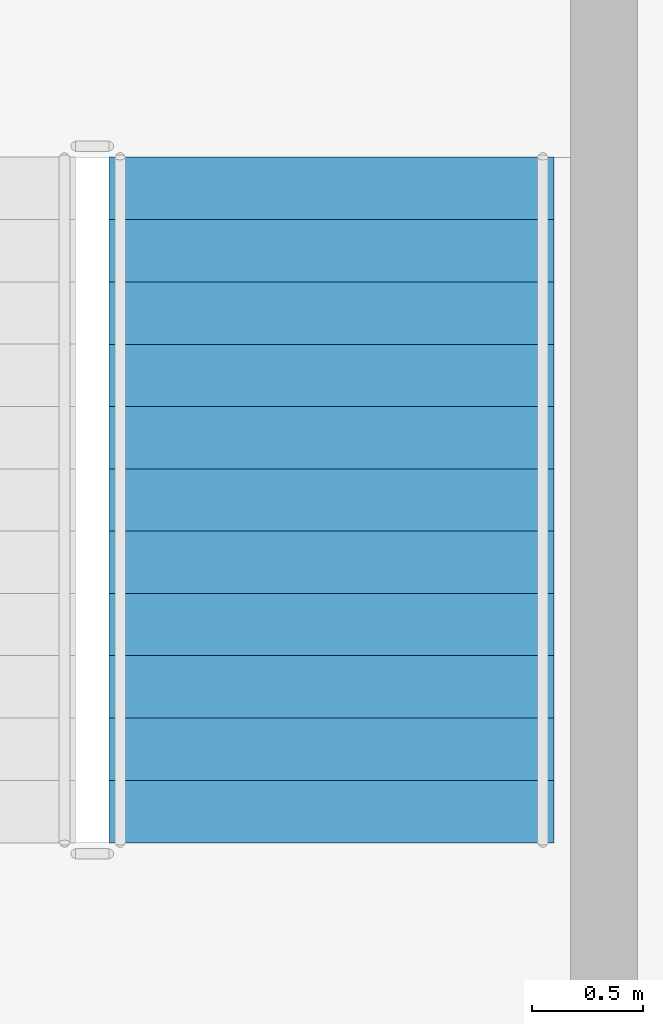
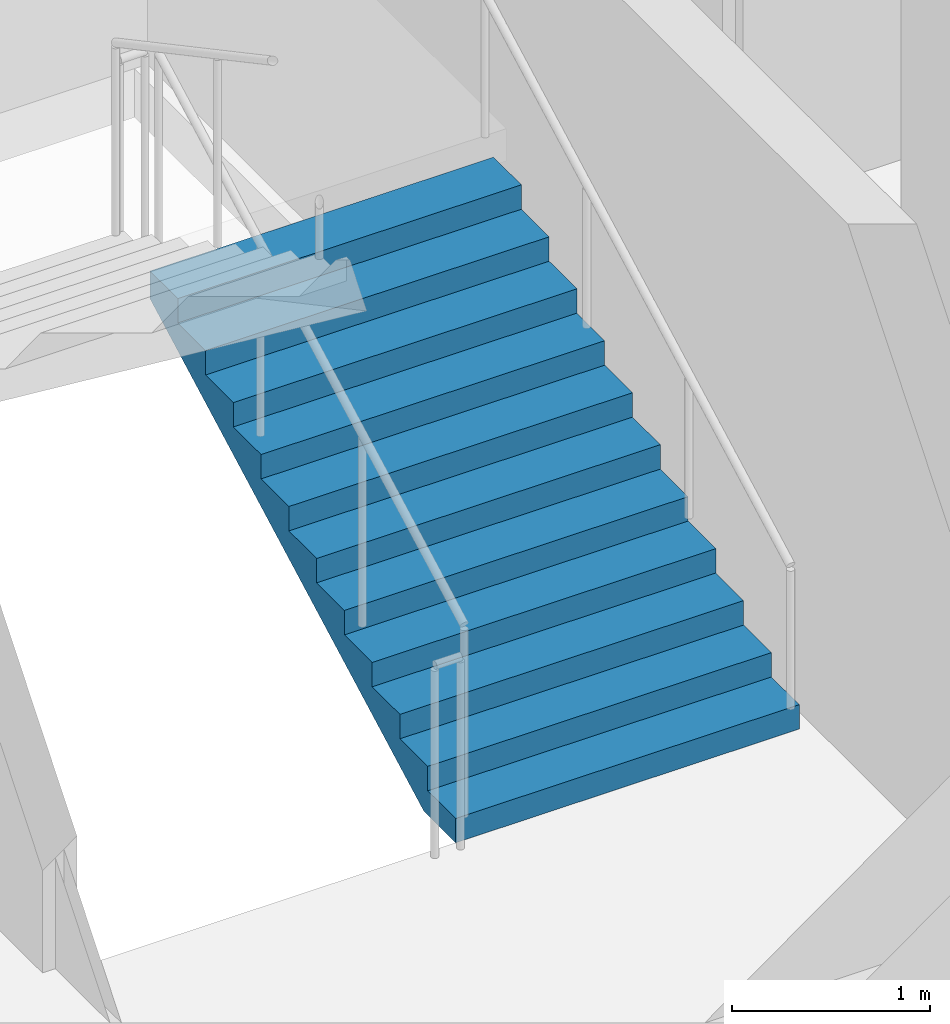
# One storey, part 12 of 19: 1 stair flight, 1 element without a shape of its own.
"""IFC4 building model written with IfcOpenShell, lengths in metres."""

from ifc_helpers import new_model, si_unit, direction, frame, origin, place, context, subcontext, project, spatial, polygons, material, type_object, element, aggregate, save


model = new_model("IFC4")

# Units and contexts
model_context = context("Model", 3, precision=1e-05, world=origin(), true_north=direction((0.0, 1.0)))
body_context = subcontext(model_context, "Body", "Model", "MODEL_VIEW")
ifc_project = project(units=[si_unit("LENGTHUNIT", "METRE"), si_unit("AREAUNIT", "SQUARE_METRE"), si_unit("VOLUMEUNIT", "CUBIC_METRE"), si_unit("PLANEANGLEUNIT", "RADIAN"), si_unit("MASSUNIT", "GRAM", prefix="KILO")], contexts=[model_context])

# Site, building, storey
site_placement = place(None, origin())
site = spatial("IfcSite", under=ifc_project, at=site_placement, CompositionType="ELEMENT")
building_placement = place(site_placement, origin())
building = spatial("IfcBuilding", under=site, at=building_placement, Name="Caravel Reach Hotel and Residences", CompositionType="ELEMENT")
storey_placement = place(building_placement, frame((0.0, 0.0, 52.800048828125)))
storey = spatial("IfcBuildingStorey", under=building, at=storey_placement, Name="L11", CompositionType="ELEMENT", Elevation=52.800048828125)

# Stair, stair flight
ifc_material_1 = material(Name="Concrete C40", Category="concrete")
stair_type = type_object("IfcStairType", Name="Core stair", PredefinedType="HALF_TURN_STAIR", material=ifc_material_1)
stair_placement = place(storey_placement, origin())
stair = element("IfcStair", 1, at=stair_placement, inside=storey, type_object=stair_type, Name="L11 Exit stair B", PredefinedType="HALF_TURN_STAIR")
ifc_material_2 = material(Name="Concrete C40", Category="concrete")
stair_flight_type = type_object("IfcStairFlightType", Name="Core stair flight", PredefinedType="STRAIGHT", material=ifc_material_2)
stair_flight_placement = place(storey_placement, frame((43.77490234375, 24.64990234375, 0.0), z_axis=(0.0, 0.0, 1.0), x_axis=(0.0, 1.0, 0.0)))
stair_flight = element("IfcStairFlight", 2, at=stair_flight_placement, type_object=stair_flight_type, Name="ST-B flight 1", NumberOfRisers=12, NumberOfTreads=11, PredefinedType="STRAIGHT", RiserHeight=0.15, TreadLength=0.28, context=body_context, shape_type="Tessellation", body=[
    polygons([(0.3174408016601862, 1.0, 0.0), (0.3174408016601862, 0.6666666666666667, 0.0), (0.3174408016601862, 0.33333333333333337, 0.0), (0.3174408016601862, 0.0, 0.0), (0.3174408016601862, -0.33333333333333326, 0.0), (0.3174408016601862, -0.6666666666666667, 0.0), (0.3174408016601862, -1.0, 0.0), (3.081, 1.0, 1.479942427682043), (3.081, 0.6666666666666667, 1.479942427682043), (3.081, 0.33333333333333337, 1.479942427682043), (3.081, 0.0, 1.479942427682043), (3.081, -0.33333333333333326, 1.479942427682043), (3.081, -0.6666666666666667, 1.479942427682043), (3.081, -1.0, 1.479942427682043), (3.081, 1.0, 1.65), (3.081, 0.6666666666666667, 1.65), (3.081, 0.33333333333333337, 1.65), (3.081, 0.0, 1.65), (3.081, -0.33333333333333326, 1.65), (3.081, -0.6666666666666667, 1.65), (3.081, -1.0, 1.65), (2.8000000000000003, 1.0, 1.65), (2.8000000000000003, 0.6666666666666667, 1.65), (2.8000000000000003, 0.33333333333333337, 1.65), (2.8000000000000003, 0.0, 1.65), (2.8000000000000003, -0.33333333333333326, 1.65), (2.8000000000000003, -0.6666666666666667, 1.65), (2.8000000000000003, -1.0, 1.65), (2.8000000000000003, 1.0, 1.5), (2.8000000000000003, 0.6666666666666667, 1.5), (2.8000000000000003, 0.33333333333333337, 1.5), (2.8000000000000003, 0.0, 1.5), (2.8000000000000003, -0.33333333333333326, 1.5), (2.8000000000000003, -0.6666666666666667, 1.5), (2.8000000000000003, -1.0, 1.5), (2.5200000000000005, 1.0, 1.5), (2.5200000000000005, 0.6666666666666667, 1.5), (2.5200000000000005, 0.33333333333333337, 1.5), (2.5200000000000005, 0.0, 1.5), (2.5200000000000005, -0.33333333333333326, 1.5), (2.5200000000000005, -0.6666666666666667, 1.5), (2.5200000000000005, -1.0, 1.5), (2.5200000000000005, 1.0, 1.3499999999999999), (2.5200000000000005, 0.6666666666666667, 1.3499999999999999), (2.5200000000000005, 0.33333333333333337, 1.3499999999999999), (2.5200000000000005, 0.0, 1.3499999999999999), (2.5200000000000005, -0.33333333333333326, 1.3499999999999999), (2.5200000000000005, -0.6666666666666667, 1.3499999999999999), (2.5200000000000005, -1.0, 1.3499999999999999), (2.24, 1.0, 1.3499999999999999), (2.24, 0.6666666666666667, 1.3499999999999999), (2.24, 0.33333333333333337, 1.3499999999999999), (2.24, 0.0, 1.3499999999999999), (2.24, -0.33333333333333326, 1.3499999999999999), (2.24, -0.6666666666666667, 1.3499999999999999), (2.24, -1.0, 1.3499999999999999), (2.24, 1.0, 1.2), (2.24, 0.6666666666666667, 1.2), (2.24, 0.33333333333333337, 1.2), (2.24, 0.0, 1.2), (2.24, -0.33333333333333326, 1.2), (2.24, -0.6666666666666667, 1.2), (2.24, -1.0, 1.2), (1.9600000000000002, 1.0, 1.2), (1.9600000000000002, 0.6666666666666667, 1.2), (1.9600000000000002, 0.33333333333333337, 1.2), (1.9600000000000002, 0.0, 1.2), (1.9600000000000002, -0.33333333333333326, 1.2), (1.9600000000000002, -0.6666666666666667, 1.2), (1.9600000000000002, -1.0, 1.2), (1.9600000000000002, 1.0, 1.05), (1.9600000000000002, 0.6666666666666667, 1.05), (1.9600000000000002, 0.33333333333333337, 1.05), (1.9600000000000002, 0.0, 1.05), (1.9600000000000002, -0.33333333333333326, 1.05), (1.9600000000000002, -0.6666666666666667, 1.05), (1.9600000000000002, -1.0, 1.05), (1.6800000000000002, 1.0, 1.05), (1.6800000000000002, 0.6666666666666667, 1.05), (1.6800000000000002, 0.33333333333333337, 1.05), (1.6800000000000002, 0.0, 1.05), (1.6800000000000002, -0.33333333333333326, 1.05), (1.6800000000000002, -0.6666666666666667, 1.05), (1.6800000000000002, -1.0, 1.05), (1.6800000000000002, 1.0, 0.8999999999999999), (1.6800000000000002, 0.6666666666666667, 0.8999999999999999), (1.6800000000000002, 0.33333333333333337, 0.8999999999999999), (1.6800000000000002, 0.0, 0.8999999999999999), (1.6800000000000002, -0.33333333333333326, 0.8999999999999999), (1.6800000000000002, -0.6666666666666667, 0.8999999999999999), (1.6800000000000002, -1.0, 0.8999999999999999), (1.4000000000000001, 1.0, 0.8999999999999999), (1.4000000000000001, 0.6666666666666667, 0.8999999999999999), (1.4000000000000001, 0.33333333333333337, 0.8999999999999999), (1.4000000000000001, 0.0, 0.8999999999999999), (1.4000000000000001, -0.33333333333333326, 0.8999999999999999), (1.4000000000000001, -0.6666666666666667, 0.8999999999999999), (1.4000000000000001, -1.0, 0.8999999999999999), (1.4000000000000001, 1.0, 0.75), (1.4000000000000001, 0.6666666666666667, 0.75), (1.4000000000000001, 0.33333333333333337, 0.75), (1.4000000000000001, 0.0, 0.75), (1.4000000000000001, -0.33333333333333326, 0.75), (1.4000000000000001, -0.6666666666666667, 0.75), (1.4000000000000001, -1.0, 0.75), (1.12, 1.0, 0.75), (1.12, 0.6666666666666667, 0.75), (1.12, 0.33333333333333337, 0.75), (1.12, 0.0, 0.75), (1.12, -0.33333333333333326, 0.75), (1.12, -0.6666666666666667, 0.75), (1.12, -1.0, 0.75), (1.12, 1.0, 0.6), (1.12, 0.6666666666666667, 0.6), (1.12, 0.33333333333333337, 0.6), (1.12, 0.0, 0.6), (1.12, -0.33333333333333326, 0.6), (1.12, -0.6666666666666667, 0.6), (1.12, -1.0, 0.6), (0.8400000000000001, 1.0, 0.6), (0.8400000000000001, 0.6666666666666667, 0.6), (0.8400000000000001, 0.33333333333333337, 0.6), (0.8400000000000001, 0.0, 0.6), (0.8400000000000001, -0.33333333333333326, 0.6), (0.8400000000000001, -0.6666666666666667, 0.6), (0.8400000000000001, -1.0, 0.6), (0.8400000000000001, 1.0, 0.44999999999999996), (0.8400000000000001, 0.6666666666666667, 0.44999999999999996), (0.8400000000000001, 0.33333333333333337, 0.44999999999999996), (0.8400000000000001, 0.0, 0.44999999999999996), (0.8400000000000001, -0.33333333333333326, 0.44999999999999996), (0.8400000000000001, -0.6666666666666667, 0.44999999999999996), (0.8400000000000001, -1.0, 0.44999999999999996), (0.56, 1.0, 0.44999999999999996), (0.56, 0.6666666666666667, 0.44999999999999996), (0.56, 0.33333333333333337, 0.44999999999999996), (0.56, 0.0, 0.44999999999999996), (0.56, -0.33333333333333326, 0.44999999999999996), (0.56, -0.6666666666666667, 0.44999999999999996), (0.56, -1.0, 0.44999999999999996), (0.56, 1.0, 0.3), (0.56, 0.6666666666666667, 0.3), (0.56, 0.33333333333333337, 0.3), (0.56, 0.0, 0.3), (0.56, -0.33333333333333326, 0.3), (0.56, -0.6666666666666667, 0.3), (0.56, -1.0, 0.3), (0.28, 1.0, 0.3), (0.28, 0.6666666666666667, 0.3), (0.28, 0.33333333333333337, 0.3), (0.28, 0.0, 0.3), (0.28, -0.33333333333333326, 0.3), (0.28, -0.6666666666666667, 0.3), (0.28, -1.0, 0.3), (0.28, 1.0, 0.15), (0.28, 0.6666666666666667, 0.15), (0.28, 0.33333333333333337, 0.15), (0.28, 0.0, 0.15), (0.28, -0.33333333333333326, 0.15), (0.28, -0.6666666666666667, 0.15), (0.28, -1.0, 0.15), (-0.001, 1.0, 0.15), (-0.001, 0.6666666666666667, 0.15), (-0.001, 0.33333333333333337, 0.15), (-0.001, 0.0, 0.15), (-0.001, -0.33333333333333326, 0.15), (-0.001, -0.6666666666666667, 0.15), (-0.001, -1.0, 0.15), (-0.001, 1.0, 0.0), (-0.001, 0.6666666666666667, 0.0), (-0.001, 0.33333333333333337, 0.0), (-0.001, 0.0, 0.0), (-0.001, -0.33333333333333326, 0.0), (-0.001, -0.6666666666666667, 0.0), (-0.001, -1.0, 0.0)], [[[169, 162, 155, 148, 141, 134, 127, 120, 113, 106, 99, 92, 85, 78, 71, 64, 57, 50, 43, 36, 29, 22, 15, 8, 1]], [[7, 14, 21, 28, 35, 42, 49, 56, 63, 70, 77, 84, 91, 98, 105, 112, 119, 126, 133, 140, 147, 154, 161, 168, 175]], [[1, 8, 9, 2]], [[2, 9, 10, 3]], [[3, 10, 11, 4]], [[4, 11, 12, 5]], [[5, 12, 13, 6]], [[6, 13, 14, 7]], [[8, 15, 16, 9]], [[9, 16, 17, 10]], [[10, 17, 18, 11]], [[11, 18, 19, 12]], [[12, 19, 20, 13]], [[13, 20, 21, 14]], [[15, 22, 23, 16]], [[16, 23, 24, 17]], [[17, 24, 25, 18]], [[18, 25, 26, 19]], [[19, 26, 27, 20]], [[20, 27, 28, 21]], [[22, 29, 30, 23]], [[23, 30, 31, 24]], [[24, 31, 32, 25]], [[25, 32, 33, 26]], [[26, 33, 34, 27]], [[27, 34, 35, 28]], [[29, 36, 37, 30]], [[30, 37, 38, 31]], [[31, 38, 39, 32]], [[32, 39, 40, 33]], [[33, 40, 41, 34]], [[34, 41, 42, 35]], [[36, 43, 44, 37]], [[37, 44, 45, 38]], [[38, 45, 46, 39]], [[39, 46, 47, 40]], [[40, 47, 48, 41]], [[41, 48, 49, 42]], [[43, 50, 51, 44]], [[44, 51, 52, 45]], [[45, 52, 53, 46]], [[46, 53, 54, 47]], [[47, 54, 55, 48]], [[48, 55, 56, 49]], [[50, 57, 58, 51]], [[51, 58, 59, 52]], [[52, 59, 60, 53]], [[53, 60, 61, 54]], [[54, 61, 62, 55]], [[55, 62, 63, 56]], [[57, 64, 65, 58]], [[58, 65, 66, 59]], [[59, 66, 67, 60]], [[60, 67, 68, 61]], [[61, 68, 69, 62]], [[62, 69, 70, 63]], [[64, 71, 72, 65]], [[65, 72, 73, 66]], [[66, 73, 74, 67]], [[67, 74, 75, 68]], [[68, 75, 76, 69]], [[69, 76, 77, 70]], [[71, 78, 79, 72]], [[72, 79, 80, 73]], [[73, 80, 81, 74]], [[74, 81, 82, 75]], [[75, 82, 83, 76]], [[76, 83, 84, 77]], [[78, 85, 86, 79]], [[79, 86, 87, 80]], [[80, 87, 88, 81]], [[81, 88, 89, 82]], [[82, 89, 90, 83]], [[83, 90, 91, 84]], [[85, 92, 93, 86]], [[86, 93, 94, 87]], [[87, 94, 95, 88]], [[88, 95, 96, 89]], [[89, 96, 97, 90]], [[90, 97, 98, 91]], [[92, 99, 100, 93]], [[93, 100, 101, 94]], [[94, 101, 102, 95]], [[95, 102, 103, 96]], [[96, 103, 104, 97]], [[97, 104, 105, 98]], [[99, 106, 107, 100]], [[100, 107, 108, 101]], [[101, 108, 109, 102]], [[102, 109, 110, 103]], [[103, 110, 111, 104]], [[104, 111, 112, 105]], [[106, 113, 114, 107]], [[107, 114, 115, 108]], [[108, 115, 116, 109]], [[109, 116, 117, 110]], [[110, 117, 118, 111]], [[111, 118, 119, 112]], [[113, 120, 121, 114]], [[114, 121, 122, 115]], [[115, 122, 123, 116]], [[116, 123, 124, 117]], [[117, 124, 125, 118]], [[118, 125, 126, 119]], [[120, 127, 128, 121]], [[121, 128, 129, 122]], [[122, 129, 130, 123]], [[123, 130, 131, 124]], [[124, 131, 132, 125]], [[125, 132, 133, 126]], [[127, 134, 135, 128]], [[128, 135, 136, 129]], [[129, 136, 137, 130]], [[130, 137, 138, 131]], [[131, 138, 139, 132]], [[132, 139, 140, 133]], [[134, 141, 142, 135]], [[135, 142, 143, 136]], [[136, 143, 144, 137]], [[137, 144, 145, 138]], [[138, 145, 146, 139]], [[139, 146, 147, 140]], [[141, 148, 149, 142]], [[142, 149, 150, 143]], [[143, 150, 151, 144]], [[144, 151, 152, 145]], [[145, 152, 153, 146]], [[146, 153, 154, 147]], [[148, 155, 156, 149]], [[149, 156, 157, 150]], [[150, 157, 158, 151]], [[151, 158, 159, 152]], [[152, 159, 160, 153]], [[153, 160, 161, 154]], [[155, 162, 163, 156]], [[156, 163, 164, 157]], [[157, 164, 165, 158]], [[158, 165, 166, 159]], [[159, 166, 167, 160]], [[160, 167, 168, 161]], [[162, 169, 170, 163]], [[163, 170, 171, 164]], [[164, 171, 172, 165]], [[165, 172, 173, 166]], [[166, 173, 174, 167]], [[167, 174, 175, 168]], [[169, 1, 2, 170]], [[170, 2, 3, 171]], [[171, 3, 4, 172]], [[172, 4, 5, 173]], [[173, 5, 6, 174]], [[174, 6, 7, 175]]], closed=True),
])
aggregate(stair, [stair_flight])

save(model, "model.ifc")
